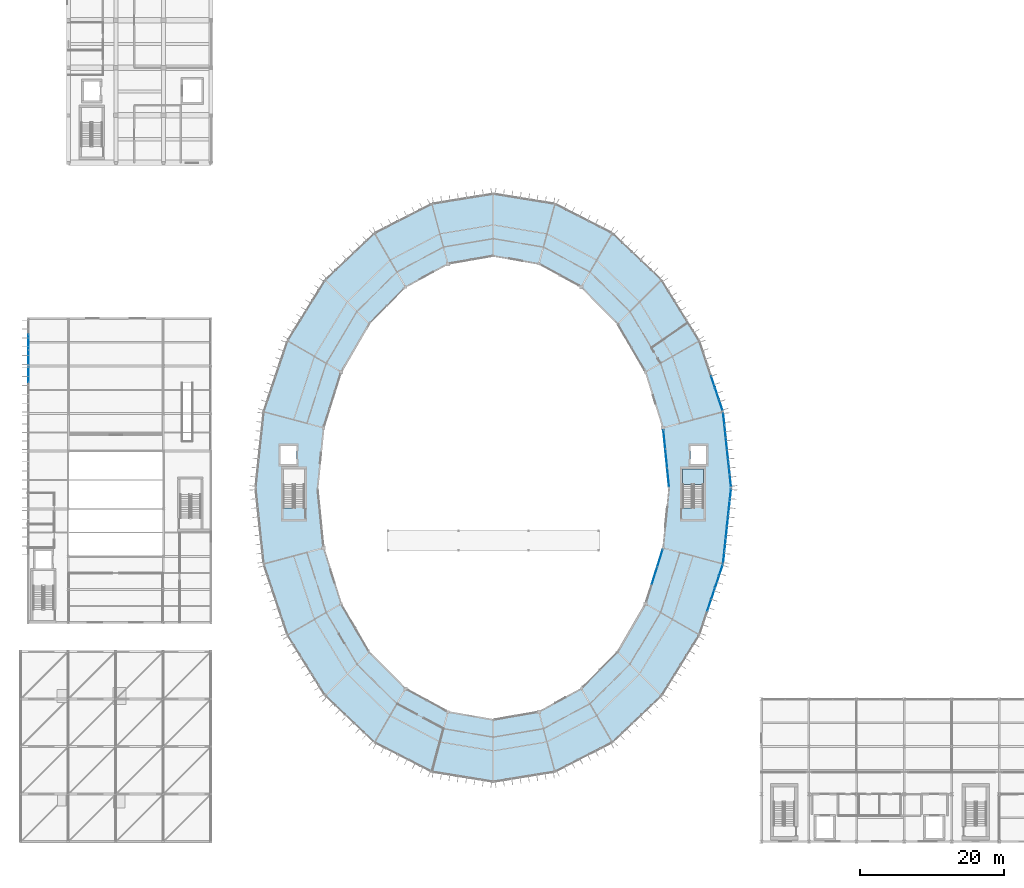
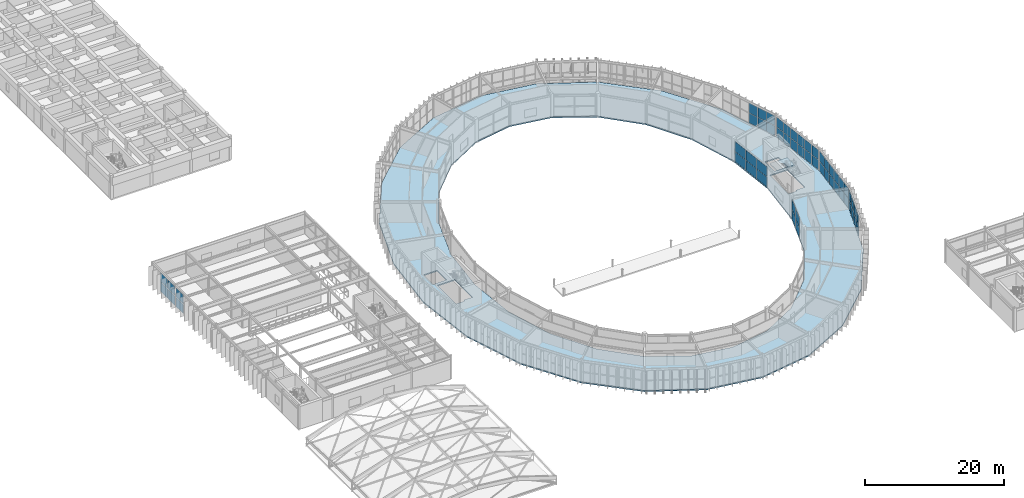
# One storey, part 116 of 157: 54 plates, 2 slabs, 9 elements without a shape of their own.
"""IFC4 building model written with IfcOpenShell, lengths in metres."""

from ifc_helpers import new_model, si_unit, direction, frame, origin, origin_2d, place, context, subcontext, project, spatial, polyline, rectangle, outline, extrude, material, layer, layer_set, type_object, element, aggregate, save


model = new_model("IFC4")

# Units and contexts
model_context = context("Model", 3, precision=1e-05, world=origin(), true_north=direction((0.0, 1.0)))
body_context = subcontext(model_context, "Body", "Model", "MODEL_VIEW")
ifc_project = project(units=[si_unit("LENGTHUNIT", "METRE"), si_unit("AREAUNIT", "SQUARE_METRE"), si_unit("VOLUMEUNIT", "CUBIC_METRE"), si_unit("PLANEANGLEUNIT", "RADIAN"), si_unit("MASSUNIT", "GRAM", prefix="KILO")], contexts=[model_context])

# Site, building, storey
site_placement = place(None, origin())
site = spatial("IfcSite", under=ifc_project, at=site_placement, CompositionType="ELEMENT")
building_placement = place(site_placement, origin())
building = spatial("IfcBuilding", under=site, at=building_placement, Name="Karori Crest Natural Sciences Institute", CompositionType="ELEMENT")
storey_placement = place(building_placement, frame((0.0, 0.0, 13.300048828125)))
storey = spatial("IfcBuildingStorey", under=building, at=storey_placement, Name="L03", CompositionType="ELEMENT", Elevation=13.300048828125)

# Curtain wall, plates
ifc_material_1 = material(Name="Anodised architectural aluminium 6063-T6", Category="aluminium")
curtain_wall_type_1 = type_object("IfcCurtainWallType", Name="CWT-01", PredefinedType="NOTDEFINED", material=ifc_material_1)
curtain_wall_1_placement = place(storey_placement, origin())
curtain_wall_1 = element("IfcCurtainWall", 1, at=curtain_wall_1_placement, inside=storey, type_object=curtain_wall_type_1, Name="Curtain wall CW-0100", PredefinedType="NOTDEFINED")
ifc_material_2 = material(Name="Double low-E laminated glass", Category="glass")
ifc_layer_1 = layer(ifc_material_2, 0.02392578125, Name="Double low-E laminated glass")
ifc_layer_set_1 = layer_set([ifc_layer_1], Name="Double low-E laminated glass")
plate_type_1 = type_object("IfcPlateType", Name="CWP-01", PredefinedType="CURTAIN_PANEL", material=ifc_layer_set_1)
plate_1_placement = place(storey_placement, frame((98.382080078125, 59.459716796875, 0.06494140625), z_axis=(0.0, 0.0, 1.0), x_axis=(0.105884496939, -0.994378435661, 0.0)))
plate_1 = element("IfcPlate", 2, at=plate_1_placement, type_object=plate_type_1, Name="CW-0100 panel 1.1", PredefinedType="CURTAIN_PANEL", context=body_context, shape_type="SweptSolid", body=[
    extrude(rectangle(XDim=1.630126953125, YDim=0.02392578125, at=origin_2d()), origin(), (0.0, 0.0, 1.0), 1.715087890625),
])
plate_2_placement = place(storey_placement, frame((98.382080078125, 59.459716796875, 1.8447265625), z_axis=(0.0, 0.0, 1.0), x_axis=(0.105884496939, -0.994378435661, 0.0)))
plate_2 = element("IfcPlate", 3, at=plate_2_placement, type_object=plate_type_1, Name="CW-0100 panel 1.2", PredefinedType="CURTAIN_PANEL", context=body_context, shape_type="SweptSolid", body=[
    extrude(rectangle(XDim=1.630126953125, YDim=0.02392578125, at=origin_2d()), origin(), (0.0, 0.0, 1.0), 1.715087890625),
])
plate_3_placement = place(storey_placement, frame((98.563232421875, 57.758056640625, 0.06494140625), z_axis=(0.0, 0.0, 1.0), x_axis=(0.105884496939, -0.994378435661, 0.0)))
plate_3 = element("IfcPlate", 4, at=plate_3_placement, type_object=plate_type_1, Name="CW-0100 panel 2.1", PredefinedType="CURTAIN_PANEL", context=body_context, shape_type="SweptSolid", body=[
    extrude(rectangle(XDim=1.66259765625, YDim=0.02392578125, at=origin_2d()), origin(), (0.0, 0.0, 1.0), 1.715087890625),
])
plate_4_placement = place(storey_placement, frame((98.563232421875, 57.758056640625, 1.8447265625), z_axis=(0.0, 0.0, 1.0), x_axis=(0.105884496939, -0.994378435661, 0.0)))
plate_4 = element("IfcPlate", 5, at=plate_4_placement, type_object=plate_type_1, Name="CW-0100 panel 2.2", PredefinedType="CURTAIN_PANEL", context=body_context, shape_type="SweptSolid", body=[
    extrude(rectangle(XDim=1.66259765625, YDim=0.02392578125, at=origin_2d()), origin(), (0.0, 0.0, 1.0), 1.715087890625),
])
plate_5_placement = place(storey_placement, frame((98.74609375, 56.040283203125, 0.06494140625), z_axis=(0.0, 0.0, 1.0), x_axis=(0.105884496939, -0.994378435661, 0.0)))
plate_5 = element("IfcPlate", 6, at=plate_5_placement, type_object=plate_type_1, Name="CW-0100 panel 3.1", PredefinedType="CURTAIN_PANEL", context=body_context, shape_type="SweptSolid", body=[
    extrude(rectangle(XDim=1.66259765625, YDim=0.02392578125, at=origin_2d()), origin(), (0.0, 0.0, 1.0), 1.715087890625),
])
plate_6_placement = place(storey_placement, frame((98.74609375, 56.040283203125, 1.8447265625), z_axis=(0.0, 0.0, 1.0), x_axis=(0.105884496939, -0.994378435661, 0.0)))
plate_6 = element("IfcPlate", 7, at=plate_6_placement, type_object=plate_type_1, Name="CW-0100 panel 3.2", PredefinedType="CURTAIN_PANEL", context=body_context, shape_type="SweptSolid", body=[
    extrude(rectangle(XDim=1.66259765625, YDim=0.02392578125, at=origin_2d()), origin(), (0.0, 0.0, 1.0), 1.715087890625),
])
plate_7_placement = place(storey_placement, frame((98.92919921875, 54.322509765625, 0.06494140625), z_axis=(0.0, 0.0, 1.0), x_axis=(0.105884496939, -0.994378435661, 0.0)))
plate_7 = element("IfcPlate", 8, at=plate_7_placement, type_object=plate_type_1, Name="CW-0100 panel 4.1", PredefinedType="CURTAIN_PANEL", context=body_context, shape_type="SweptSolid", body=[
    extrude(rectangle(XDim=1.66259765625, YDim=0.02392578125, at=origin_2d()), origin(), (0.0, 0.0, 1.0), 1.715087890625),
])
plate_8_placement = place(storey_placement, frame((98.92919921875, 54.322509765625, 1.8447265625), z_axis=(0.0, 0.0, 1.0), x_axis=(0.105884496939, -0.994378435661, 0.0)))
plate_8 = element("IfcPlate", 9, at=plate_8_placement, type_object=plate_type_1, Name="CW-0100 panel 4.2", PredefinedType="CURTAIN_PANEL", context=body_context, shape_type="SweptSolid", body=[
    extrude(rectangle(XDim=1.66259765625, YDim=0.02392578125, at=origin_2d()), origin(), (0.0, 0.0, 1.0), 1.715087890625),
])
plate_9_placement = place(storey_placement, frame((99.112060546875, 52.604736328125, 0.06494140625), z_axis=(0.0, 0.0, 1.0), x_axis=(0.105884496939, -0.994378435661, 0.0)))
plate_9 = element("IfcPlate", 10, at=plate_9_placement, type_object=plate_type_1, Name="CW-0100 panel 5.1", PredefinedType="CURTAIN_PANEL", context=body_context, shape_type="SweptSolid", body=[
    extrude(rectangle(XDim=1.66259765625, YDim=0.02392578125, at=origin_2d()), origin(), (0.0, 0.0, 1.0), 1.715087890625),
])
plate_10_placement = place(storey_placement, frame((99.112060546875, 52.604736328125, 1.8447265625), z_axis=(0.0, 0.0, 1.0), x_axis=(0.105884496939, -0.994378435661, 0.0)))
plate_10 = element("IfcPlate", 11, at=plate_10_placement, type_object=plate_type_1, Name="CW-0100 panel 5.2", PredefinedType="CURTAIN_PANEL", context=body_context, shape_type="SweptSolid", body=[
    extrude(rectangle(XDim=1.66259765625, YDim=0.02392578125, at=origin_2d()), origin(), (0.0, 0.0, 1.0), 1.715087890625),
])
plate_11_placement = place(storey_placement, frame((99.293212890625, 50.903076171875, 0.06494140625), z_axis=(0.0, 0.0, 1.0), x_axis=(0.105884496939, -0.994378435661, 0.0)))
plate_11 = element("IfcPlate", 12, at=plate_11_placement, type_object=plate_type_1, Name="CW-0100 panel 6.1", PredefinedType="CURTAIN_PANEL", context=body_context, shape_type="SweptSolid", body=[
    extrude(rectangle(XDim=1.630126953125, YDim=0.02392578125, at=origin_2d()), origin(), (0.0, 0.0, 1.0), 1.715087890625),
])
plate_12_placement = place(storey_placement, frame((99.293212890625, 50.903076171875, 1.8447265625), z_axis=(0.0, 0.0, 1.0), x_axis=(0.105884496939, -0.994378435661, 0.0)))
plate_12 = element("IfcPlate", 13, at=plate_12_placement, type_object=plate_type_1, Name="CW-0100 panel 6.2", PredefinedType="CURTAIN_PANEL", context=body_context, shape_type="SweptSolid", body=[
    extrude(rectangle(XDim=1.630126953125, YDim=0.02392578125, at=origin_2d()), origin(), (0.0, 0.0, 1.0), 1.715087890625),
])
aggregate(curtain_wall_1, [plate_1, plate_2, plate_3, plate_4, plate_5, plate_6, plate_7, plate_8, plate_9, plate_10, plate_11, plate_12])

curtain_wall_type_2 = type_object("IfcCurtainWallType", Name="CWT-11", PredefinedType="NOTDEFINED", material=ifc_material_1)
curtain_wall_2_placement = place(storey_placement, origin())
curtain_wall_2 = element("IfcCurtainWall", 14, at=curtain_wall_2_placement, inside=storey, type_object=curtain_wall_type_2, Name="Curtain wall CW-0101", PredefinedType="NOTDEFINED")
plate_13_placement = place(storey_placement, frame((90.65576171875, 51.345458984375, 0.06005859375), z_axis=(0.0, 0.0, 1.0), x_axis=(-0.099268494275, 0.995060684604, 0.0)))
plate_13 = element("IfcPlate", 15, at=plate_13_placement, type_object=plate_type_1, Name="CW-0101 panel 1.1", PredefinedType="CURTAIN_PANEL", context=body_context, shape_type="SweptSolid", body=[
    extrude(rectangle(XDim=2.568359375, YDim=0.02392578125, at=origin_2d()), origin(), (0.0, 0.0, 1.0), 1.735107421875),
])
plate_14_placement = place(storey_placement, frame((90.65576171875, 51.345458984375, 1.85498046875), z_axis=(0.0, 0.0, 1.0), x_axis=(-0.099268494275, 0.995060684604, 0.0)))
plate_14 = element("IfcPlate", 16, at=plate_14_placement, type_object=plate_type_1, Name="CW-0101 panel 1.2", PredefinedType="CURTAIN_PANEL", context=body_context, shape_type="SweptSolid", body=[
    extrude(rectangle(XDim=2.568359375, YDim=0.02392578125, at=origin_2d()), origin(), (0.0, 0.0, 1.0), 1.735107421875),
])
plate_15_placement = place(storey_placement, frame((90.392822265625, 53.98193359375, 0.06005859375), z_axis=(0.0, 0.0, 1.0), x_axis=(-0.099268494275, 0.995060684604, 0.0)))
plate_15 = element("IfcPlate", 17, at=plate_15_placement, type_object=plate_type_1, Name="CW-0101 panel 2.1", PredefinedType="CURTAIN_PANEL", context=body_context, shape_type="SweptSolid", body=[
    extrude(rectangle(XDim=2.600830078125, YDim=0.02392578125, at=origin_2d()), origin(), (0.0, 0.0, 1.0), 1.735107421875),
])
plate_16_placement = place(storey_placement, frame((90.392822265625, 53.98193359375, 1.85498046875), z_axis=(0.0, 0.0, 1.0), x_axis=(-0.099268494275, 0.995060684604, 0.0)))
plate_16 = element("IfcPlate", 18, at=plate_16_placement, type_object=plate_type_1, Name="CW-0101 panel 2.2", PredefinedType="CURTAIN_PANEL", context=body_context, shape_type="SweptSolid", body=[
    extrude(rectangle(XDim=2.600830078125, YDim=0.02392578125, at=origin_2d()), origin(), (0.0, 0.0, 1.0), 1.735107421875),
])
plate_17_placement = place(storey_placement, frame((90.129638671875, 56.618408203125, 0.06005859375), z_axis=(0.0, 0.0, 1.0), x_axis=(-0.099268494275, 0.995060684604, 0.0)))
plate_17 = element("IfcPlate", 19, at=plate_17_placement, type_object=plate_type_1, Name="CW-0101 panel 3.1", PredefinedType="CURTAIN_PANEL", context=body_context, shape_type="SweptSolid", body=[
    extrude(rectangle(XDim=2.568359375, YDim=0.02392578125, at=origin_2d()), origin(), (0.0, 0.0, 1.0), 1.735107421875),
])
plate_18_placement = place(storey_placement, frame((90.129638671875, 56.618408203125, 1.85498046875), z_axis=(0.0, 0.0, 1.0), x_axis=(-0.099268494275, 0.995060684604, 0.0)))
plate_18 = element("IfcPlate", 20, at=plate_18_placement, type_object=plate_type_1, Name="CW-0101 panel 3.2", PredefinedType="CURTAIN_PANEL", context=body_context, shape_type="SweptSolid", body=[
    extrude(rectangle(XDim=2.568359375, YDim=0.02392578125, at=origin_2d()), origin(), (0.0, 0.0, 1.0), 1.735107421875),
])
aggregate(curtain_wall_2, [plate_13, plate_14, plate_15, plate_16, plate_17, plate_18])

curtain_wall_type_3 = type_object("IfcCurtainWallType", Name="CWT-13", PredefinedType="NOTDEFINED", material=ifc_material_1)
curtain_wall_3_placement = place(storey_placement, origin())
curtain_wall_3 = element("IfcCurtainWall", 21, at=curtain_wall_3_placement, inside=storey, type_object=curtain_wall_type_3, Name="Curtain wall CW-0134", PredefinedType="NOTDEFINED")
plate_19_placement = place(storey_placement, frame((88.761474609375, 37.720458984375, 0.06005859375), z_axis=(0.0, 0.0, 1.0), x_axis=(0.299475254154, 0.954104067778, 0.0)))
plate_19 = element("IfcPlate", 22, at=plate_19_placement, type_object=plate_type_1, Name="CW-0134 panel 2.1", PredefinedType="CURTAIN_PANEL", context=body_context, shape_type="SweptSolid", body=[
    extrude(rectangle(XDim=2.483642578125, YDim=0.02392578125, at=origin_2d()), origin(), (0.0, 0.0, 1.0), 1.735107421875),
])
plate_20_placement = place(storey_placement, frame((88.761474609375, 37.720458984375, 1.85498046875), z_axis=(0.0, 0.0, 1.0), x_axis=(0.299475254154, 0.954104067778, 0.0)))
plate_20 = element("IfcPlate", 23, at=plate_20_placement, type_object=plate_type_1, Name="CW-0134 panel 2.2", PredefinedType="CURTAIN_PANEL", context=body_context, shape_type="SweptSolid", body=[
    extrude(rectangle(XDim=2.483642578125, YDim=0.02392578125, at=origin_2d()), origin(), (0.0, 0.0, 1.0), 1.735107421875),
])
plate_21_placement = place(storey_placement, frame((89.52001953125, 40.136474609375, 0.06005859375), z_axis=(0.0, 0.0, 1.0), x_axis=(0.299475254154, 0.954104067778, 0.0)))
plate_21 = element("IfcPlate", 24, at=plate_21_placement, type_object=plate_type_1, Name="CW-0134 panel 3.1", PredefinedType="CURTAIN_PANEL", context=body_context, shape_type="SweptSolid", body=[
    extrude(rectangle(XDim=2.451171875, YDim=0.02392578125, at=origin_2d()), origin(), (0.0, 0.0, 1.0), 1.735107421875),
])
plate_22_placement = place(storey_placement, frame((89.52001953125, 40.136474609375, 1.85498046875), z_axis=(0.0, 0.0, 1.0), x_axis=(0.299475254154, 0.954104067778, 0.0)))
plate_22 = element("IfcPlate", 25, at=plate_22_placement, type_object=plate_type_1, Name="CW-0134 panel 3.2", PredefinedType="CURTAIN_PANEL", context=body_context, shape_type="SweptSolid", body=[
    extrude(rectangle(XDim=2.451171875, YDim=0.02392578125, at=origin_2d()), origin(), (0.0, 0.0, 1.0), 1.735107421875),
])
aggregate(curtain_wall_3, [plate_19, plate_20, plate_21, plate_22])

curtain_wall_type_4 = type_object("IfcCurtainWallType", Name="CWT-17", PredefinedType="NOTDEFINED", material=ifc_material_1)
curtain_wall_4_placement = place(storey_placement, origin())
curtain_wall_4 = element("IfcCurtainWall", 26, at=curtain_wall_4_placement, inside=storey, type_object=curtain_wall_type_4, Name="Curtain wall CW-0281", PredefinedType="NOTDEFINED")
plate_23_placement = place(storey_placement, frame((1.860107421875, 65.601806640625, 0.06005859375), z_axis=(0.0, 0.0, 1.0), x_axis=(0.0, 1.0, 0.0)))
plate_23 = element("IfcPlate", 27, at=plate_23_placement, type_object=plate_type_1, Name="CW-0281 panel 3.1", PredefinedType="CURTAIN_PANEL", context=body_context, shape_type="SweptSolid", body=[
    extrude(rectangle(XDim=2.0205078125, YDim=0.02392578125, at=origin_2d()), origin(), (0.0, 0.0, 1.0), 1.632568359375),
])
plate_24_placement = place(storey_placement, frame((1.860107421875, 65.601806640625, 1.75244140625), z_axis=(0.0, 0.0, 1.0), x_axis=(0.0, 1.0, 0.0)))
plate_24 = element("IfcPlate", 28, at=plate_24_placement, type_object=plate_type_1, Name="CW-0281 panel 3.2", PredefinedType="CURTAIN_PANEL", context=body_context, shape_type="SweptSolid", body=[
    extrude(rectangle(XDim=2.0205078125, YDim=0.02392578125, at=origin_2d()), origin(), (0.0, 0.0, 1.0), 1.632568359375),
])
aggregate(curtain_wall_4, [plate_23, plate_24])

curtain_wall_5_placement = place(storey_placement, origin())
curtain_wall_5 = element("IfcCurtainWall", 29, at=curtain_wall_5_placement, inside=storey, type_object=curtain_wall_type_4, Name="Curtain wall CW-0282", PredefinedType="NOTDEFINED")
plate_25_placement = place(storey_placement, frame((1.860107421875, 67.998291015625, 0.06005859375), z_axis=(0.0, 0.0, 1.0), x_axis=(0.0, 1.0, 0.0)))
plate_25 = element("IfcPlate", 30, at=plate_25_placement, type_object=plate_type_1, Name="CW-0282 panel 1.1", PredefinedType="CURTAIN_PANEL", context=body_context, shape_type="SweptSolid", body=[
    extrude(rectangle(XDim=2.0205078125, YDim=0.02392578125, at=origin_2d()), origin(), (0.0, 0.0, 1.0), 1.632568359375),
])
plate_26_placement = place(storey_placement, frame((1.860107421875, 67.998291015625, 1.75244140625), z_axis=(0.0, 0.0, 1.0), x_axis=(0.0, 1.0, 0.0)))
plate_26 = element("IfcPlate", 31, at=plate_26_placement, type_object=plate_type_1, Name="CW-0282 panel 1.2", PredefinedType="CURTAIN_PANEL", context=body_context, shape_type="SweptSolid", body=[
    extrude(rectangle(XDim=2.0205078125, YDim=0.02392578125, at=origin_2d()), origin(), (0.0, 0.0, 1.0), 1.632568359375),
])
plate_27_placement = place(storey_placement, frame((1.860107421875, 70.10009765625, 0.06005859375), z_axis=(0.0, 0.0, 1.0), x_axis=(0.0, 1.0, 0.0)))
plate_27 = element("IfcPlate", 32, at=plate_27_placement, type_object=plate_type_1, Name="CW-0282 panel 2.1", PredefinedType="CURTAIN_PANEL", context=body_context, shape_type="SweptSolid", body=[
    extrude(rectangle(XDim=2.052978515625, YDim=0.02392578125, at=origin_2d()), origin(), (0.0, 0.0, 1.0), 1.632568359375),
])
plate_28_placement = place(storey_placement, frame((1.860107421875, 70.10009765625, 1.75244140625), z_axis=(0.0, 0.0, 1.0), x_axis=(0.0, 1.0, 0.0)))
plate_28 = element("IfcPlate", 33, at=plate_28_placement, type_object=plate_type_1, Name="CW-0282 panel 2.2", PredefinedType="CURTAIN_PANEL", context=body_context, shape_type="SweptSolid", body=[
    extrude(rectangle(XDim=2.052978515625, YDim=0.02392578125, at=origin_2d()), origin(), (0.0, 0.0, 1.0), 1.632568359375),
])
aggregate(curtain_wall_5, [plate_25, plate_26, plate_27, plate_28])

curtain_wall_type_5 = type_object("IfcCurtainWallType", Name="CWT-02", PredefinedType="NOTDEFINED", material=ifc_material_1)
curtain_wall_6_placement = place(storey_placement, origin())
curtain_wall_6 = element("IfcCurtainWall", 34, at=curtain_wall_6_placement, inside=storey, type_object=curtain_wall_type_5, Name="Curtain wall CW-0102", PredefinedType="NOTDEFINED")
ifc_layer_2 = layer(ifc_material_2, 0.033935546875, Name="Double low-E laminated glass")
ifc_layer_set_2 = layer_set([ifc_layer_2], Name="Double low-E laminated glass")
plate_type_2 = type_object("IfcPlateType", Name="CWP-02", PredefinedType="CURTAIN_PANEL", material=ifc_layer_set_2)
plate_29_placement = place(storey_placement, frame((96.888427734375, 64.599853515625, 0.06005859375), z_axis=(0.0, 0.0, 1.0), x_axis=(0.317679803392, -0.94819805026, 0.0)))
plate_29 = element("IfcPlate", 35, at=plate_29_placement, type_object=plate_type_2, Name="CW-0102 panel 4.1", PredefinedType="CURTAIN_PANEL", context=body_context, shape_type="SweptSolid", body=[
    extrude(rectangle(XDim=1.628662109375, YDim=0.033935546875, at=origin_2d()), origin(), (0.0, 0.0, 1.0), 1.722412109375),
])
plate_30_placement = place(storey_placement, frame((96.888427734375, 64.599853515625, 1.84228515625), z_axis=(0.0, 0.0, 1.0), x_axis=(0.317679803392, -0.94819805026, 0.0)))
plate_30 = element("IfcPlate", 36, at=plate_30_placement, type_object=plate_type_2, Name="CW-0102 panel 4.2", PredefinedType="CURTAIN_PANEL", context=body_context, shape_type="SweptSolid", body=[
    extrude(rectangle(XDim=1.628662109375, YDim=0.033935546875, at=origin_2d()), origin(), (0.0, 0.0, 1.0), 1.722412109375),
])
plate_31_placement = place(storey_placement, frame((97.426513671875, 62.993896484375, 0.06005859375), z_axis=(0.0, 0.0, 1.0), x_axis=(0.317679803392, -0.94819805026, 0.0)))
plate_31 = element("IfcPlate", 37, at=plate_31_placement, type_object=plate_type_2, Name="CW-0102 panel 5.1", PredefinedType="CURTAIN_PANEL", context=body_context, shape_type="SweptSolid", body=[
    extrude(rectangle(XDim=1.628662109375, YDim=0.033935546875, at=origin_2d()), origin(), (0.0, 0.0, 1.0), 1.722412109375),
])
plate_32_placement = place(storey_placement, frame((97.426513671875, 62.993896484375, 1.84228515625), z_axis=(0.0, 0.0, 1.0), x_axis=(0.317679803392, -0.94819805026, 0.0)))
plate_32 = element("IfcPlate", 38, at=plate_32_placement, type_object=plate_type_2, Name="CW-0102 panel 5.2", PredefinedType="CURTAIN_PANEL", context=body_context, shape_type="SweptSolid", body=[
    extrude(rectangle(XDim=1.628662109375, YDim=0.033935546875, at=origin_2d()), origin(), (0.0, 0.0, 1.0), 1.722412109375),
])
plate_33_placement = place(storey_placement, frame((97.95947265625, 61.4033203125, 0.06005859375), z_axis=(0.0, 0.0, 1.0), x_axis=(0.317679803392, -0.94819805026, 0.0)))
plate_33 = element("IfcPlate", 39, at=plate_33_placement, type_object=plate_type_2, Name="CW-0102 panel 6.1", PredefinedType="CURTAIN_PANEL", context=body_context, shape_type="SweptSolid", body=[
    extrude(rectangle(XDim=1.59619140625, YDim=0.033935546875, at=origin_2d()), origin(), (0.0, 0.0, 1.0), 1.722412109375),
])
plate_34_placement = place(storey_placement, frame((97.95947265625, 61.4033203125, 1.84228515625), z_axis=(0.0, 0.0, 1.0), x_axis=(0.317679803392, -0.94819805026, 0.0)))
plate_34 = element("IfcPlate", 40, at=plate_34_placement, type_object=plate_type_2, Name="CW-0102 panel 6.2", PredefinedType="CURTAIN_PANEL", context=body_context, shape_type="SweptSolid", body=[
    extrude(rectangle(XDim=1.59619140625, YDim=0.033935546875, at=origin_2d()), origin(), (0.0, 0.0, 1.0), 1.722412109375),
])
aggregate(curtain_wall_6, [plate_29, plate_30, plate_31, plate_32, plate_33, plate_34])

curtain_wall_type_6 = type_object("IfcCurtainWallType", Name="CWT-03", PredefinedType="NOTDEFINED", material=ifc_material_1)
curtain_wall_7_placement = place(storey_placement, origin())
curtain_wall_7 = element("IfcCurtainWall", 41, at=curtain_wall_7_placement, inside=storey, type_object=curtain_wall_type_6, Name="Curtain wall CW-0133", PredefinedType="NOTDEFINED")
plate_35_placement = place(storey_placement, frame((97.974853515625, 38.442626953125, 0.06494140625), z_axis=(0.0, 0.0, 1.0), x_axis=(-0.317679803392, -0.94819805026, 0.0)))
plate_35 = element("IfcPlate", 42, at=plate_35_placement, type_object=plate_type_2, Name="CW-0133 panel 1.1", PredefinedType="CURTAIN_PANEL", context=body_context, shape_type="SweptSolid", body=[
    extrude(rectangle(XDim=1.59619140625, YDim=0.033935546875, at=origin_2d()), origin(), (0.0, 0.0, 1.0), 1.715087890625),
])
plate_36_placement = place(storey_placement, frame((97.974853515625, 38.442626953125, 1.8447265625), z_axis=(0.0, 0.0, 1.0), x_axis=(-0.317679803392, -0.94819805026, 0.0)))
plate_36 = element("IfcPlate", 43, at=plate_36_placement, type_object=plate_type_2, Name="CW-0133 panel 1.2", PredefinedType="CURTAIN_PANEL", context=body_context, shape_type="SweptSolid", body=[
    extrude(rectangle(XDim=1.59619140625, YDim=0.033935546875, at=origin_2d()), origin(), (0.0, 0.0, 1.0), 1.715087890625),
])
plate_37_placement = place(storey_placement, frame((97.44189453125, 36.85205078125, 0.06494140625), z_axis=(0.0, 0.0, 1.0), x_axis=(-0.317679803392, -0.94819805026, 0.0)))
plate_37 = element("IfcPlate", 44, at=plate_37_placement, type_object=plate_type_2, Name="CW-0133 panel 2.1", PredefinedType="CURTAIN_PANEL", context=body_context, shape_type="SweptSolid", body=[
    extrude(rectangle(XDim=1.628662109375, YDim=0.033935546875, at=origin_2d()), origin(), (0.0, 0.0, 1.0), 1.715087890625),
])
plate_38_placement = place(storey_placement, frame((97.44189453125, 36.85205078125, 1.8447265625), z_axis=(0.0, 0.0, 1.0), x_axis=(-0.317679803392, -0.94819805026, 0.0)))
plate_38 = element("IfcPlate", 45, at=plate_38_placement, type_object=plate_type_2, Name="CW-0133 panel 2.2", PredefinedType="CURTAIN_PANEL", context=body_context, shape_type="SweptSolid", body=[
    extrude(rectangle(XDim=1.628662109375, YDim=0.033935546875, at=origin_2d()), origin(), (0.0, 0.0, 1.0), 1.715087890625),
])
plate_39_placement = place(storey_placement, frame((96.904052734375, 35.24609375, 0.06494140625), z_axis=(0.0, 0.0, 1.0), x_axis=(-0.317679803392, -0.94819805026, 0.0)))
plate_39 = element("IfcPlate", 46, at=plate_39_placement, type_object=plate_type_2, Name="CW-0133 panel 3.1", PredefinedType="CURTAIN_PANEL", context=body_context, shape_type="SweptSolid", body=[
    extrude(rectangle(XDim=1.628662109375, YDim=0.033935546875, at=origin_2d()), origin(), (0.0, 0.0, 1.0), 1.715087890625),
])
plate_40_placement = place(storey_placement, frame((96.904052734375, 35.24609375, 1.8447265625), z_axis=(0.0, 0.0, 1.0), x_axis=(-0.317679803392, -0.94819805026, 0.0)))
plate_40 = element("IfcPlate", 47, at=plate_40_placement, type_object=plate_type_2, Name="CW-0133 panel 3.2", PredefinedType="CURTAIN_PANEL", context=body_context, shape_type="SweptSolid", body=[
    extrude(rectangle(XDim=1.628662109375, YDim=0.033935546875, at=origin_2d()), origin(), (0.0, 0.0, 1.0), 1.715087890625),
])
plate_41_placement = place(storey_placement, frame((96.365966796875, 33.64013671875, 0.06494140625), z_axis=(0.0, 0.0, 1.0), x_axis=(-0.317679803392, -0.94819805026, 0.0)))
plate_41 = element("IfcPlate", 48, at=plate_41_placement, type_object=plate_type_2, Name="CW-0133 panel 4.1", PredefinedType="CURTAIN_PANEL", context=body_context, shape_type="SweptSolid", body=[
    extrude(rectangle(XDim=1.628662109375, YDim=0.033935546875, at=origin_2d()), origin(), (0.0, 0.0, 1.0), 1.715087890625),
])
plate_42_placement = place(storey_placement, frame((96.365966796875, 33.64013671875, 1.8447265625), z_axis=(0.0, 0.0, 1.0), x_axis=(-0.317679803392, -0.94819805026, 0.0)))
plate_42 = element("IfcPlate", 49, at=plate_42_placement, type_object=plate_type_2, Name="CW-0133 panel 4.2", PredefinedType="CURTAIN_PANEL", context=body_context, shape_type="SweptSolid", body=[
    extrude(rectangle(XDim=1.628662109375, YDim=0.033935546875, at=origin_2d()), origin(), (0.0, 0.0, 1.0), 1.715087890625),
])
aggregate(curtain_wall_7, [plate_35, plate_36, plate_37, plate_38, plate_39, plate_40, plate_41, plate_42])

curtain_wall_type_7 = type_object("IfcCurtainWallType", Name="CWT-04", PredefinedType="NOTDEFINED", material=ifc_material_1)
curtain_wall_8_placement = place(storey_placement, origin())
curtain_wall_8 = element("IfcCurtainWall", 50, at=curtain_wall_8_placement, inside=storey, type_object=curtain_wall_type_7, Name="Curtain wall CW-0135", PredefinedType="NOTDEFINED")
ifc_layer_3 = layer(ifc_material_2, 0.0439453125, Name="Double low-E laminated glass")
ifc_layer_set_3 = layer_set([ifc_layer_3], Name="Double low-E laminated glass")
plate_type_3 = type_object("IfcPlateType", Name="CWP-03", PredefinedType="CURTAIN_PANEL", material=ifc_layer_set_3)
plate_43_placement = place(storey_placement, frame((99.292724609375, 48.89306640625, 0.06005859375), z_axis=(0.0, 0.0, 1.0), x_axis=(-0.105885677057, -0.994378309998, 0.0)))
plate_43 = element("IfcPlate", 51, at=plate_43_placement, type_object=plate_type_3, Name="CW-0135 panel 1.1", PredefinedType="CURTAIN_PANEL", context=body_context, shape_type="SweptSolid", body=[
    extrude(rectangle(XDim=1.6376953125, YDim=0.0439453125, at=origin_2d()), origin(), (0.0, 0.0, 1.0), 1.722412109375),
])
plate_44_placement = place(storey_placement, frame((99.292724609375, 48.89306640625, 1.84228515625), z_axis=(0.0, 0.0, 1.0), x_axis=(-0.105885677057, -0.994378309998, 0.0)))
plate_44 = element("IfcPlate", 52, at=plate_44_placement, type_object=plate_type_3, Name="CW-0135 panel 1.2", PredefinedType="CURTAIN_PANEL", context=body_context, shape_type="SweptSolid", body=[
    extrude(rectangle(XDim=1.6376953125, YDim=0.0439453125, at=origin_2d()), origin(), (0.0, 0.0, 1.0), 1.722412109375),
])
plate_45_placement = place(storey_placement, frame((99.11083984375, 47.183837890625, 0.06005859375), z_axis=(0.0, 0.0, 1.0), x_axis=(-0.105885677057, -0.994378309998, 0.0)))
plate_45 = element("IfcPlate", 53, at=plate_45_placement, type_object=plate_type_3, Name="CW-0135 panel 2.1", PredefinedType="CURTAIN_PANEL", context=body_context, shape_type="SweptSolid", body=[
    extrude(rectangle(XDim=1.670166015625, YDim=0.0439453125, at=origin_2d()), origin(), (0.0, 0.0, 1.0), 1.722412109375),
])
plate_46_placement = place(storey_placement, frame((99.11083984375, 47.183837890625, 1.84228515625), z_axis=(0.0, 0.0, 1.0), x_axis=(-0.105885677057, -0.994378309998, 0.0)))
plate_46 = element("IfcPlate", 54, at=plate_46_placement, type_object=plate_type_3, Name="CW-0135 panel 2.2", PredefinedType="CURTAIN_PANEL", context=body_context, shape_type="SweptSolid", body=[
    extrude(rectangle(XDim=1.670166015625, YDim=0.0439453125, at=origin_2d()), origin(), (0.0, 0.0, 1.0), 1.722412109375),
])
plate_47_placement = place(storey_placement, frame((98.927001953125, 45.45849609375, 0.06005859375), z_axis=(0.0, 0.0, 1.0), x_axis=(-0.105885677057, -0.994378309998, 0.0)))
plate_47 = element("IfcPlate", 55, at=plate_47_placement, type_object=plate_type_3, Name="CW-0135 panel 3.1", PredefinedType="CURTAIN_PANEL", context=body_context, shape_type="SweptSolid", body=[
    extrude(rectangle(XDim=1.670166015625, YDim=0.0439453125, at=origin_2d()), origin(), (0.0, 0.0, 1.0), 1.722412109375),
])
plate_48_placement = place(storey_placement, frame((98.927001953125, 45.45849609375, 1.84228515625), z_axis=(0.0, 0.0, 1.0), x_axis=(-0.105885677057, -0.994378309998, 0.0)))
plate_48 = element("IfcPlate", 56, at=plate_48_placement, type_object=plate_type_3, Name="CW-0135 panel 3.2", PredefinedType="CURTAIN_PANEL", context=body_context, shape_type="SweptSolid", body=[
    extrude(rectangle(XDim=1.670166015625, YDim=0.0439453125, at=origin_2d()), origin(), (0.0, 0.0, 1.0), 1.722412109375),
])
plate_49_placement = place(storey_placement, frame((98.743408203125, 43.73291015625, 0.06005859375), z_axis=(0.0, 0.0, 1.0), x_axis=(-0.105885677057, -0.994378309998, 0.0)))
plate_49 = element("IfcPlate", 57, at=plate_49_placement, type_object=plate_type_3, Name="CW-0135 panel 4.1", PredefinedType="CURTAIN_PANEL", context=body_context, shape_type="SweptSolid", body=[
    extrude(rectangle(XDim=1.670166015625, YDim=0.0439453125, at=origin_2d()), origin(), (0.0, 0.0, 1.0), 1.722412109375),
])
plate_50_placement = place(storey_placement, frame((98.743408203125, 43.73291015625, 1.84228515625), z_axis=(0.0, 0.0, 1.0), x_axis=(-0.105885677057, -0.994378309998, 0.0)))
plate_50 = element("IfcPlate", 58, at=plate_50_placement, type_object=plate_type_3, Name="CW-0135 panel 4.2", PredefinedType="CURTAIN_PANEL", context=body_context, shape_type="SweptSolid", body=[
    extrude(rectangle(XDim=1.670166015625, YDim=0.0439453125, at=origin_2d()), origin(), (0.0, 0.0, 1.0), 1.722412109375),
])
plate_51_placement = place(storey_placement, frame((98.5595703125, 42.007568359375, 0.06005859375), z_axis=(0.0, 0.0, 1.0), x_axis=(-0.105885677057, -0.994378309998, 0.0)))
plate_51 = element("IfcPlate", 59, at=plate_51_placement, type_object=plate_type_3, Name="CW-0135 panel 5.1", PredefinedType="CURTAIN_PANEL", context=body_context, shape_type="SweptSolid", body=[
    extrude(rectangle(XDim=1.670166015625, YDim=0.0439453125, at=origin_2d()), origin(), (0.0, 0.0, 1.0), 1.722412109375),
])
plate_52_placement = place(storey_placement, frame((98.5595703125, 42.007568359375, 1.84228515625), z_axis=(0.0, 0.0, 1.0), x_axis=(-0.105885677057, -0.994378309998, 0.0)))
plate_52 = element("IfcPlate", 60, at=plate_52_placement, type_object=plate_type_3, Name="CW-0135 panel 5.2", PredefinedType="CURTAIN_PANEL", context=body_context, shape_type="SweptSolid", body=[
    extrude(rectangle(XDim=1.670166015625, YDim=0.0439453125, at=origin_2d()), origin(), (0.0, 0.0, 1.0), 1.722412109375),
])
plate_53_placement = place(storey_placement, frame((98.377685546875, 40.298095703125, 0.06005859375), z_axis=(0.0, 0.0, 1.0), x_axis=(-0.105885677057, -0.994378309998, 0.0)))
plate_53 = element("IfcPlate", 61, at=plate_53_placement, type_object=plate_type_3, Name="CW-0135 panel 6.1", PredefinedType="CURTAIN_PANEL", context=body_context, shape_type="SweptSolid", body=[
    extrude(rectangle(XDim=1.6376953125, YDim=0.0439453125, at=origin_2d()), origin(), (0.0, 0.0, 1.0), 1.722412109375),
])
plate_54_placement = place(storey_placement, frame((98.377685546875, 40.298095703125, 1.84228515625), z_axis=(0.0, 0.0, 1.0), x_axis=(-0.105885677057, -0.994378309998, 0.0)))
plate_54 = element("IfcPlate", 62, at=plate_54_placement, type_object=plate_type_3, Name="CW-0135 panel 6.2", PredefinedType="CURTAIN_PANEL", context=body_context, shape_type="SweptSolid", body=[
    extrude(rectangle(XDim=1.6376953125, YDim=0.0439453125, at=origin_2d()), origin(), (0.0, 0.0, 1.0), 1.722412109375),
])
aggregate(curtain_wall_8, [plate_43, plate_44, plate_45, plate_46, plate_47, plate_48, plate_49, plate_50, plate_51, plate_52, plate_53, plate_54])

# Slab
ifc_material_3 = material(Name="Concrete 40 MPa", Category="concrete")
ifc_layer_4 = layer(ifc_material_3, 0.199951171875, Name="Concrete 40 MPa")
ifc_layer_set_4 = layer_set([ifc_layer_4], Name="Concrete 40 MPa")
slab_type_1 = type_object("IfcSlabType", Name="SLT-08", PredefinedType="FLOOR", material=ifc_layer_set_4)
slab_1_placement = place(storey_placement, frame((0.0, 0.0, -0.199951171875)))
element("IfcSlab", 63, at=slab_1_placement, inside=storey, type_object=slab_type_1, Name="V1 Slab SL-0005", PredefinedType="FLOOR", context=body_context, shape_type="SweptSolid", body=[
    extrude(outline(polyline([(99.39990234375, 49.89990234375), (98.275634765625, 60.459716796875), (94.978759765625, 70.300048828125), (89.734619140625, 78.75), (82.89990234375, 85.23388671875), (74.94091796875, 89.309814453125), (66.39990234375, 90.699951171875), (57.85888671875, 89.309814453125), (49.89990234375, 85.23388671875), (43.0654296875, 78.75), (37.8212890625, 70.300048828125), (34.5244140625, 60.459716796875), (33.39990234375, 49.89990234375), (34.5244140625, 39.340087890625), (37.8212890625, 29.5), (43.0654296875, 21.050048828125), (49.89990234375, 14.566162109375), (57.85888671875, 10.490234375), (66.39990234375, 9.10009765625), (74.94091796875, 10.490234375), (82.89990234375, 14.566162109375), (89.734619140625, 21.050048828125), (94.978759765625, 29.5), (98.275634765625, 39.340087890625), (99.39990234375, 49.89990234375)]), holes=[polyline([(89.968505859375, 41.56591796875), (87.531005859375, 33.800048828125), (83.6533203125, 27.131103515625), (78.60009765625, 22.013916015625), (72.715087890625, 18.797119140625), (66.39990234375, 17.699951171875), (60.084716796875, 18.797119140625), (54.199951171875, 22.013916015625), (49.146484375, 27.131103515625), (45.26904296875, 33.800048828125), (42.831298828125, 41.56591796875), (42.0, 49.89990234375), (42.831298828125, 58.23388671875), (45.26904296875, 66.0), (49.146484375, 72.668701171875), (54.199951171875, 77.785888671875), (60.084716796875, 81.002685546875), (66.39990234375, 82.10009765625), (72.715087890625, 81.002685546875), (78.60009765625, 77.785888671875), (83.6533203125, 72.668701171875), (87.531005859375, 66.0), (89.968505859375, 58.23388671875), (90.800048828125, 49.89990234375), (89.968505859375, 41.56591796875)]), polyline([(95.550048828125, 47.3798828125), (94.10009765625, 47.3798828125), (94.10009765625, 47.1005859375), (92.64990234375, 47.1005859375), (92.64990234375, 52.5), (95.550048828125, 52.5), (95.550048828125, 47.3798828125)]), polyline([(40.14990234375, 47.3798828125), (38.699951171875, 47.3798828125), (38.699951171875, 47.1005859375), (37.25, 47.1005859375), (37.25, 52.5), (40.14990234375, 52.5), (40.14990234375, 47.3798828125)]), polyline([(93.72509765625, 55.77490234375), (95.97509765625, 55.77490234375), (95.97509765625, 53.02490234375), (93.72509765625, 53.02490234375), (93.72509765625, 55.77490234375)]), polyline([(36.824951171875, 55.77490234375), (39.074951171875, 55.77490234375), (39.074951171875, 53.02490234375), (36.824951171875, 53.02490234375), (36.824951171875, 55.77490234375)])]), origin(), (0.0, 0.0, 1.0), 0.199951171875),
])

# Stair, slab
stair_type = type_object("IfcStairType", Name="STT-01", PredefinedType="HALF_TURN_STAIR", material=ifc_material_3)
stair_placement = place(storey_placement, origin())
stair = element("IfcStair", 64, at=stair_placement, inside=storey, type_object=stair_type, Name="Protected stair ST-01-L03", PredefinedType="HALF_TURN_STAIR")
ifc_layer_5 = layer(ifc_material_3, 0.2099609375, Name="Concrete 40 MPa")
ifc_layer_set_5 = layer_set([ifc_layer_5], Name="Concrete 40 MPa")
slab_type_2 = type_object("IfcSlabType", Name="SLT-11", PredefinedType="LANDING", material=ifc_layer_set_5)
slab_2_placement = place(storey_placement, frame((0.0, 0.0, 1.889892578125)))
slab_2 = element("IfcSlab", 65, at=slab_2_placement, type_object=slab_type_2, Name="ST-01-L03 landing 1", PredefinedType="LANDING", context=body_context, shape_type="SweptSolid", body=[
    extrude(outline(polyline([(95.550048828125, 50.39990234375), (95.550048828125, 52.5), (92.64990234375, 52.5), (92.64990234375, 50.39990234375), (95.550048828125, 50.39990234375)])), origin(), (0.0, 0.0, 1.0), 0.2099609375),
])
aggregate(stair, [slab_2])

save(model, "model.ifc")
